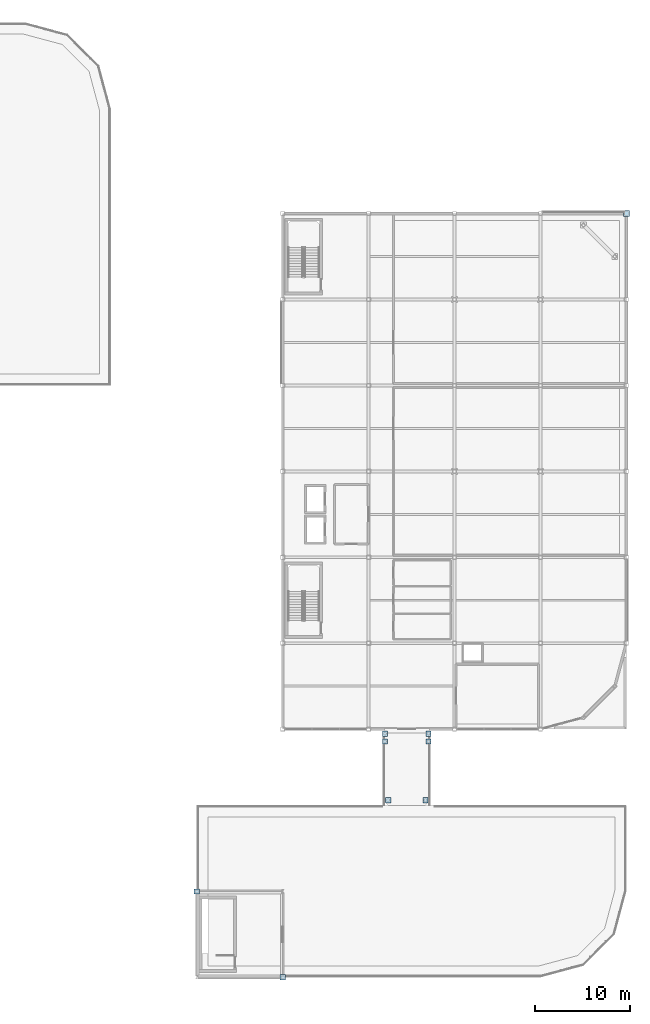
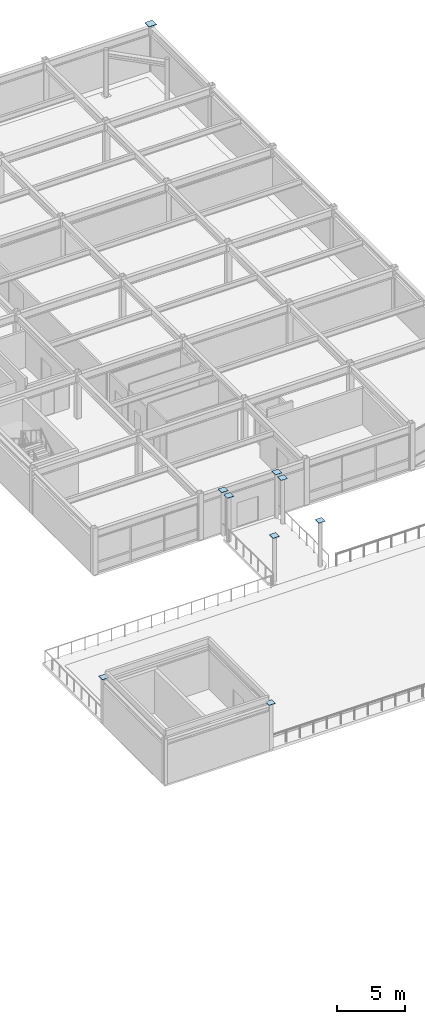
# One storey, part 36 of 53: 9 plates.
"""IFC4 building model written with IfcOpenShell, lengths in metres."""

from ifc_helpers import new_model, si_unit, direction, frame, origin, origin_2d, place, context, subcontext, project, spatial, rectangle, extrude, material, layer, layer_set, type_object, element, save


model = new_model("IFC4")

# Units and contexts
model_context = context("Model", 3, precision=1e-05, world=origin(), true_north=direction((0.0, 1.0)))
body_context = subcontext(model_context, "Body", "Model", "MODEL_VIEW")
ifc_project = project(units=[si_unit("LENGTHUNIT", "METRE"), si_unit("AREAUNIT", "SQUARE_METRE"), si_unit("VOLUMEUNIT", "CUBIC_METRE"), si_unit("PLANEANGLEUNIT", "RADIAN"), si_unit("MASSUNIT", "GRAM", prefix="KILO")], contexts=[model_context])

# Site, building, storey
site_placement = place(None, origin())
site = spatial("IfcSite", under=ifc_project, at=site_placement, CompositionType="ELEMENT")
building_placement = place(site_placement, origin())
building = spatial("IfcBuilding", under=site, at=building_placement, Name="Suzunagisa Mobility Hub", CompositionType="ELEMENT")
storey_placement = place(building_placement, frame((0.0, 0.0, 17.699951171875)))
storey = spatial("IfcBuildingStorey", under=building, at=storey_placement, Name="L04", CompositionType="ELEMENT", Elevation=17.699951171875)

# Plates
ifc_material = material(Name="Steel SN490B", Category="steel")
ifc_layer_1 = layer(ifc_material, 0.02392578125)
ifc_layer_set_1 = layer_set([ifc_layer_1], Name="Steel SN490B")
plate_type_1 = type_object("IfcPlateType", Name="Structural Steel Plate SP-01 550x550x24", PredefinedType="USERDEFINED", material=ifc_layer_set_1)
for number, where, z_axis, x_axis, name in (
    (1, (135.0, 27.0, 4.14013671875), (0.0, 0.0, 1.0), (1.0, 0.0, 0.0), "L04 Column Cap Plate CP-245"),
    (2, (144.0, 18.0, 4.14013671875), (0.0, 0.0, 1.0), (1.0, 0.0, 0.0), "L04 Column Cap Plate CP-253"),
    (3, (154.719970703125, 42.699951171875, 4.06005859375), (0.0, 0.0, 1.0), (1.0, 0.0, 0.0), "L04 Column Cap Plate CP-277"),
    (4, (154.719970703125, 43.530029296875, 4.06005859375), (0.0, 0.0, 1.0), (1.0, 0.0, 0.0), "L04 Column Cap Plate CP-278"),
    (5, (155.050048828125, 36.550048828125, 4.06005859375), (0.0, 0.0, 1.0), (1.0, 0.0, 0.0), "L04 Column Cap Plate CP-279"),
    (6, (158.949951171875, 36.550048828125, 4.06005859375), (0.0, 0.0, 1.0), (1.0, 0.0, 0.0), "L04 Column Cap Plate CP-280"),
    (7, (159.280029296875, 42.699951171875, 4.06005859375), (0.0, 0.0, 1.0), (1.0, 0.0, 0.0), "L04 Column Cap Plate CP-281"),
    (8, (159.280029296875, 43.530029296875, 4.06005859375), (0.0, 0.0, 1.0), (1.0, 0.0, 0.0), "L04 Column Cap Plate CP-282"),
):
    element("IfcPlate", number, at=place(storey_placement, frame(where, z_axis=z_axis, x_axis=x_axis)), inside=storey, type_object=plate_type_1, Name=name, ObjectType="BASE PLATE", PredefinedType="USERDEFINED", context=body_context, shape_type="SweptSolid", body=[
        extrude(rectangle(XDim=0.550048828125, YDim=0.550048828125, at=origin_2d()), origin(), (0.0, 0.0, 1.0), 0.02392578125),
    ])
ifc_layer_2 = layer(ifc_material, 0.031982421875)
ifc_layer_set_2 = layer_set([ifc_layer_2], Name="Steel SN490B")
plate_type_2 = type_object("IfcPlateType", Name="Structural Steel Plate SP-05 650x650x32", PredefinedType="USERDEFINED", material=ifc_layer_set_2)
plate_placement = place(storey_placement, frame((180.0, 98.0, 4.14013671875), z_axis=(0.0, 0.0, 1.0), x_axis=(1.0, 0.0, 0.0)))
element("IfcPlate", 9, at=plate_placement, inside=storey, type_object=plate_type_2, Name="L04 Column Cap Plate CP-331", ObjectType="BASE PLATE", PredefinedType="USERDEFINED", context=body_context, shape_type="SweptSolid", body=[
    extrude(rectangle(XDim=0.64990234375, YDim=0.64990234375, at=origin_2d()), origin(), (0.0, 0.0, 1.0), 0.031982421875),
])

save(model, "model.ifc")
